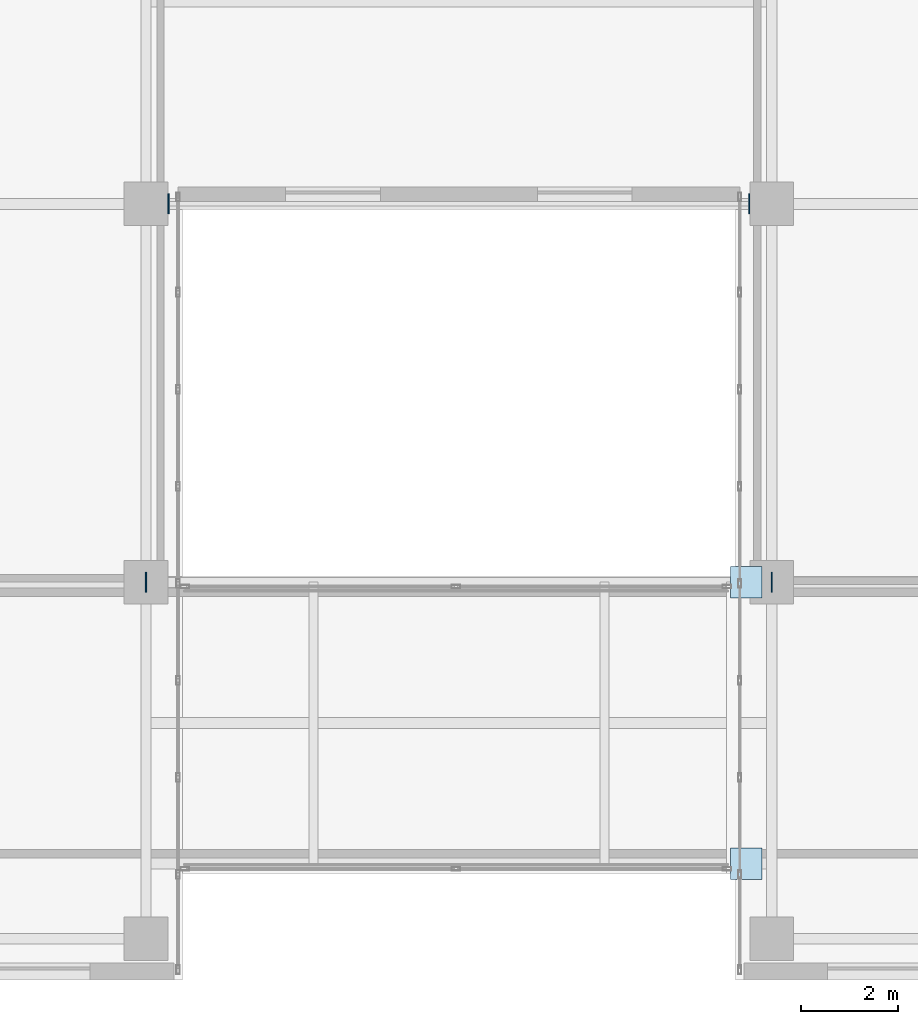
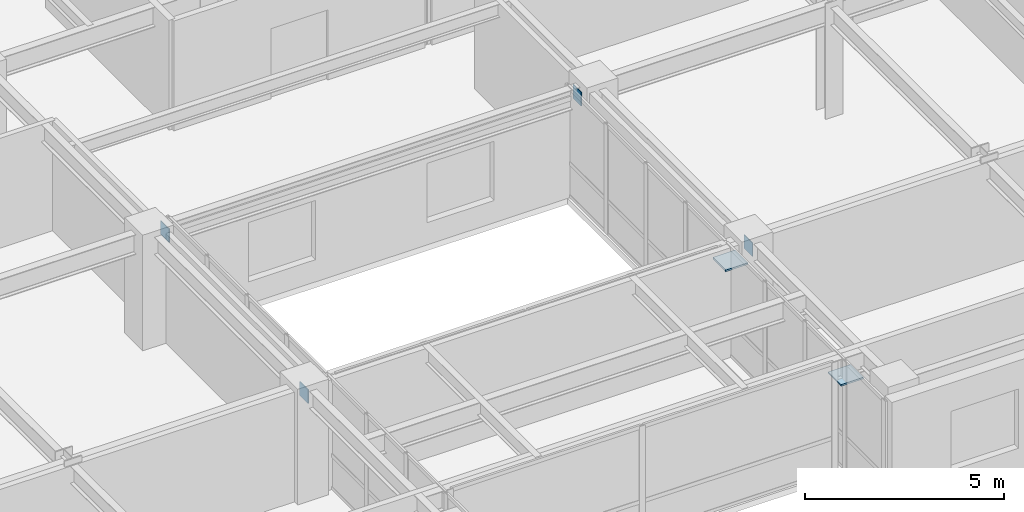
# One storey, part 17 of 25: 6 plates.
"""IFC4 building model written with IfcOpenShell, lengths in metres."""

from ifc_helpers import new_model, si_unit, direction, frame, origin, origin_2d, place, context, subcontext, project, spatial, rectangle, extrude, source, transform, mapped, material, layer, layer_set, type_object, type_shapes, element, save


model = new_model("IFC4")

# Units and contexts
model_context = context("Model", 3, precision=1e-05, world=origin(), true_north=direction((0.0, 1.0)))
body_context = subcontext(model_context, "Body", "Model", "MODEL_VIEW")
ifc_project = project(units=[si_unit("LENGTHUNIT", "METRE"), si_unit("AREAUNIT", "SQUARE_METRE"), si_unit("VOLUMEUNIT", "CUBIC_METRE"), si_unit("PLANEANGLEUNIT", "RADIAN"), si_unit("MASSUNIT", "GRAM", prefix="KILO")], contexts=[model_context])

# Site, building, storey
site_placement = place(None, origin())
site = spatial("IfcSite", under=ifc_project, at=site_placement, CompositionType="ELEMENT")
building_placement = place(site_placement, origin())
building = spatial("IfcBuilding", under=site, at=building_placement, Name="Tolvann Quenvar Hotel", CompositionType="ELEMENT")
storey_placement = place(building_placement, frame((0.0, 0.0, 122.199951171875)))
storey = spatial("IfcBuildingStorey", under=building, at=storey_placement, Name="L31", CompositionType="ELEMENT", Elevation=122.199951171875)

# Plates
ifc_material = material(Name="Steel Grade 350", Category="steel")
ifc_layer_1 = layer(ifc_material, 0.050048828125)
ifc_layer_set_1 = layer_set([ifc_layer_1], Name="Steel Grade 350")
plate_type_1 = type_object("IfcPlateType", Name="PLT_BASE_50", PredefinedType="SHEET", material=ifc_layer_set_1)
shared_shape_1 = source(origin(), body_context, "Body", "SweptSolid", [
    extrude(rectangle(XDim=0.64990234375, YDim=0.64990234375, at=origin_2d()), origin(), (0.0, 0.0, 1.0), 0.050048828125),
])
type_shapes(plate_type_1, [shared_shape_1])
for number, where, z_axis, x_axis, name in (
    (1, (34.425048828125, 2.39990234375, 2.7080078125), (0.0, 0.0, 1.0), (1.0, 0.0, 0.0), "Skybridge PTFE Sliding Bearing Seat Plate 650mm (L32-S)"),
    (2, (34.425048828125, 8.199951171875, 2.7080078125), (0.0, 0.0, 1.0), (1.0, 0.0, 0.0), "Skybridge PTFE Sliding Bearing Seat Plate 650mm (L32-N)"),
):
    element("IfcPlate", number, at=place(storey_placement, frame(where, z_axis=z_axis, x_axis=x_axis)), inside=storey, type_object=plate_type_1, Name=name, PredefinedType="SHEET", context=body_context, shape_type="MappedRepresentation", body=[
        mapped(shared_shape_1, transform((0.0, 0.0, 0.0), x_axis=(1.0, 0.0, 0.0), y_axis=(0.0, 1.0, 0.0), z_axis=(0.0, 0.0, 1.0), scale=1.0)),
    ])
ifc_layer_2 = layer(ifc_material, 0.02490234375)
ifc_layer_set_2 = layer_set([ifc_layer_2], Name="Steel Grade 350")
plate_type_2 = type_object("IfcPlateType", Name="PLT_ENDCAP_25", PredefinedType="SHEET", material=ifc_layer_set_2)
shared_shape_2 = source(origin(), body_context, "Body", "SweptSolid", [
    extrude(rectangle(XDim=0.02490234375, YDim=0.419921875, at=origin_2d()), origin(), (0.0, 0.0, 1.0), 0.419921875),
])
type_shapes(plate_type_2, [shared_shape_2])
for number, where, z_axis, x_axis, name in (
    (3, (22.050048828125, 8.199951171875, 2.81005859375), (0.0, 0.0, 1.0), (1.0, 0.0, 0.0), "Skybridge Tie End Plate EC-1 (L31-1)"),
    (4, (22.514892578125, 16.0, 2.860107421875), (0.0, 0.0, 1.0), (1.0, 0.0, 0.0), "Atrium Girt End Plate EC-1 (L31-1)"),
    (5, (34.949951171875, 8.199951171875, 2.81005859375), (0.0, 0.0, 1.0), (1.0, 0.0, 0.0), "Skybridge Tie End Plate EC-1 (L31-2)"),
    (6, (34.485107421875, 16.0, 2.860107421875), (0.0, 0.0, 1.0), (1.0, 0.0, 0.0), "Atrium Girt End Plate EC-1 (L31-2)"),
):
    element("IfcPlate", number, at=place(storey_placement, frame(where, z_axis=z_axis, x_axis=x_axis)), inside=storey, type_object=plate_type_2, Name=name, PredefinedType="SHEET", context=body_context, shape_type="MappedRepresentation", body=[
        mapped(shared_shape_2, transform((0.0, 0.0, 0.0), x_axis=(1.0, 0.0, 0.0), y_axis=(0.0, 1.0, 0.0), z_axis=(0.0, 0.0, 1.0), scale=1.0)),
    ])

save(model, "model.ifc")
